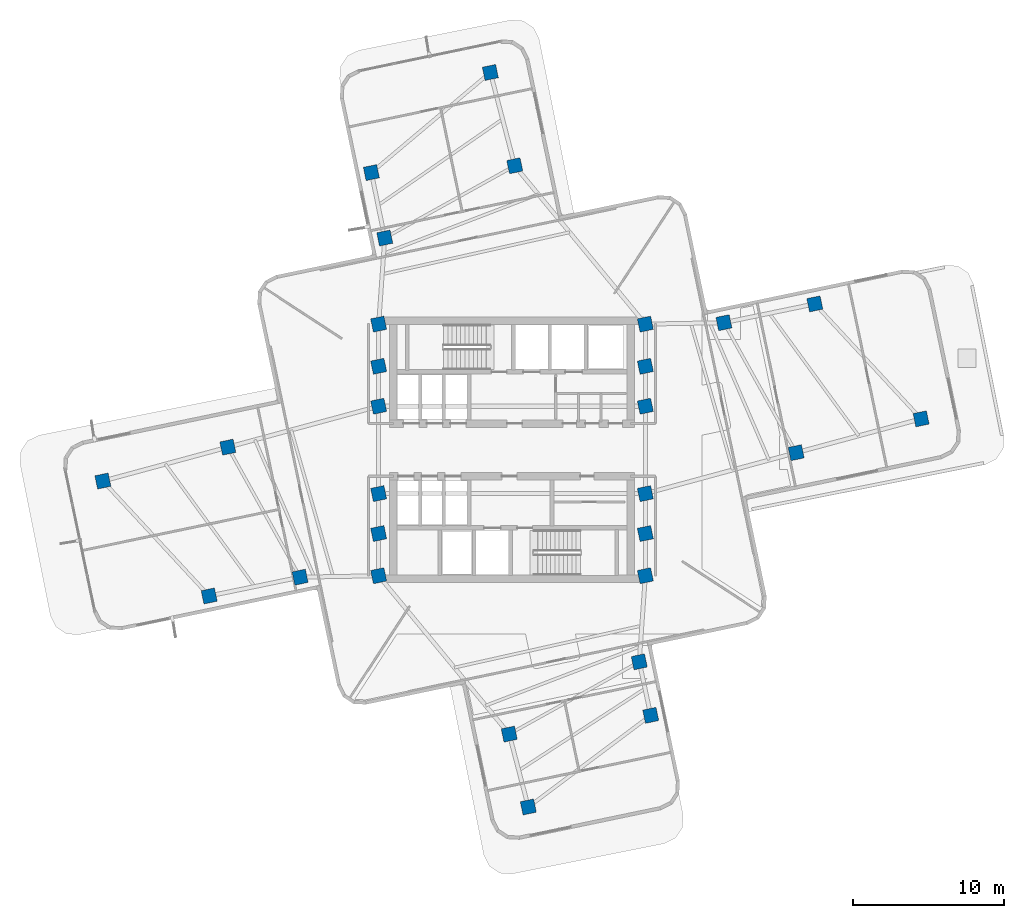
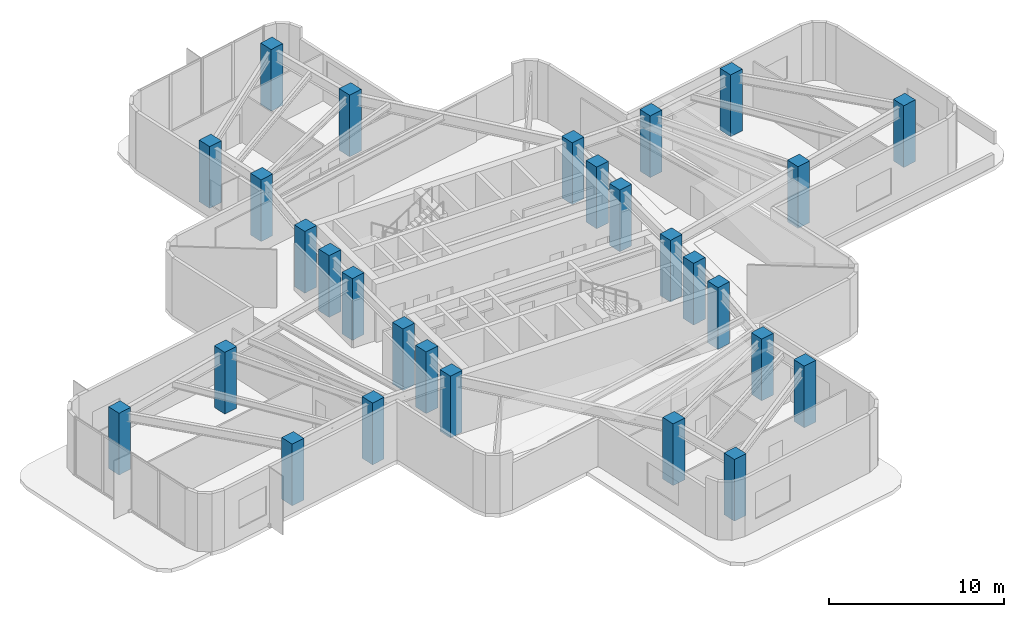
# One storey, part 1 of 12: 28 columns.
"""IFC4 building model written with IfcOpenShell, lengths in metres."""

from ifc_helpers import new_model, si_unit, direction, frame, origin, origin_2d, place, context, subcontext, project, spatial, rectangle, extrude, material, material_profile, profile_set, type_object, element, save


model = new_model("IFC4")

# Units and contexts
model_context = context("Model", 3, precision=1e-05, world=origin(), true_north=direction((0.0, 1.0)))
body_context = subcontext(model_context, "Body", "Model", "MODEL_VIEW")
ifc_project = project(units=[si_unit("LENGTHUNIT", "METRE"), si_unit("AREAUNIT", "SQUARE_METRE"), si_unit("VOLUMEUNIT", "CUBIC_METRE"), si_unit("PLANEANGLEUNIT", "RADIAN"), si_unit("MASSUNIT", "GRAM", prefix="KILO")], contexts=[model_context])

# Site, building, storey
site_placement = place(None, origin())
site = spatial("IfcSite", under=ifc_project, at=site_placement, CompositionType="ELEMENT")
building_placement = place(site_placement, origin())
building = spatial("IfcBuilding", under=site, at=building_placement, Name="Solmarez Civic Tower", CompositionType="ELEMENT")
storey_placement = place(building_placement, frame((0.0, 0.0, 111.9599609375)))
storey = spatial("IfcBuildingStorey", under=building, at=storey_placement, Name="L29", CompositionType="ELEMENT", Elevation=111.9599609375)

# Columns
ifc_material = material(Name="Concrete C50/60", Category="concrete")
ifc_material_profile = material_profile(ifc_material, rectangle(XDim=0.89990234375, YDim=0.89990234375, at=origin_2d()), Name="RC900X900")
ifc_profile_set = profile_set([ifc_material_profile], Name="Concrete C50/60")
column_type = type_object("IfcColumnType", Name="COL-RC900", PredefinedType="COLUMN", material=ifc_profile_set)
for number, where, z_axis, x_axis, name in (
    (1, (-8.85009765625, -5.550048828125, 0.0), (0.0, 0.0, 1.0), (0.978867388762, 0.204496051842, 0.0), "L29 Structural Column HC1"),
    (2, (-8.85009765625, -2.89990234375, 0.0), (0.0, 0.0, 1.0), (0.978867388762, 0.204496051842, 0.0), "L29 Structural Column HC2"),
    (3, (-8.85009765625, 2.89990234375, 0.0), (0.0, 0.0, 1.0), (0.978867388762, 0.204496051842, 0.0), "L29 Structural Column HC3"),
    (4, (-8.85009765625, 5.550048828125, 0.0), (0.0, 0.0, 1.0), (0.978867388762, 0.204496051842, 0.0), "L29 Structural Column HC4"),
    (5, (8.85009765625, -5.550048828125, 0.0), (0.0, 0.0, 1.0), (0.978867388762, 0.204496051842, 0.0), "L29 Structural Column HC5"),
    (6, (8.85009765625, -2.89990234375, 0.0), (0.0, 0.0, 1.0), (0.978867388762, 0.204496051842, 0.0), "L29 Structural Column HC6"),
    (7, (8.85009765625, 2.89990234375, 0.0), (0.0, 0.0, 1.0), (0.978867388762, 0.204496051842, 0.0), "L29 Structural Column HC7"),
    (8, (8.85009765625, 5.550048828125, 0.0), (0.0, 0.0, 1.0), (0.978867388762, 0.204496051842, 0.0), "L29 Structural Column HC8"),
    (9, (-8.85009765625, 8.35009765625, 0.0), (0.0, 0.0, 1.0), (0.978867388762, 0.204496051842, 0.0), "L29 Structural Column HC9"),
    (10, (8.85009765625, -8.35009765625, 0.0), (0.0, 0.0, 1.0), (0.978867388762, 0.204496051842, 0.0), "L29 Structural Column HC10"),
    (11, (8.85009765625, 8.35009765625, 0.0), (0.0, 0.0, 1.0), (0.978867388762, 0.204496051842, 0.0), "L29 Structural Column HC11"),
    (12, (-8.85009765625, -8.35009765625, 0.0), (0.0, 0.0, 1.0), (0.978867388762, 0.204496051842, 0.0), "L29 Structural Column HC12"),
    (13, (18.860107421875, -0.18310546875, 0.0), (0.0, 0.0, 1.0), (0.978867388762, 0.204496051842, 0.0), "L29 Structural Column EA11"),
    (14, (14.06396484375, 8.445068359375, 0.0), (0.0, 0.0, 1.0), (0.978867388762, 0.204496051842, 0.0), "L29 Structural Column EA12"),
    (15, (27.153076171875, 2.06396484375, 0.0), (0.0, 0.0, 1.0), (0.978867388762, 0.204496051842, 0.0), "L29 Structural Column EA21"),
    (16, (20.097900390625, 9.69189453125, 0.0), (0.0, 0.0, 1.0), (0.978867388762, 0.204496051842, 0.0), "L29 Structural Column EA22"),
    (17, (0.18310546875, 18.860107421875, 0.0), (0.0, 0.0, 1.0), (0.978867388762, 0.204496051842, 0.0), "L29 Structural Column NA11"),
    (18, (-8.445068359375, 14.06396484375, 0.0), (0.0, 0.0, 1.0), (0.978867388762, 0.204496051842, 0.0), "L29 Structural Column NA12"),
    (19, (-1.43701171875, 25.052001953125, 0.0), (0.0, 0.0, 1.0), (0.978867388762, 0.204496051842, 0.0), "L29 Structural Column NA21"),
    (20, (-9.3330078125, 18.408935546875, 0.0), (0.0, 0.0, 1.0), (0.978867388762, 0.204496051842, 0.0), "L29 Structural Column NA22"),
    (21, (-18.860107421875, 0.18310546875, 0.0), (0.0, 0.0, 1.0), (0.978867388762, 0.204496051842, 0.0), "L29 Structural Column WA11"),
    (22, (-14.06396484375, -8.445068359375, 0.0), (0.0, 0.0, 1.0), (0.978867388762, 0.204496051842, 0.0), "L29 Structural Column WA12"),
    (23, (-27.153076171875, -2.06396484375, 0.0), (0.0, 0.0, 1.0), (0.978867388762, 0.204496051842, 0.0), "L29 Structural Column WA21"),
    (24, (-20.097900390625, -9.69189453125, 0.0), (0.0, 0.0, 1.0), (0.978867388762, 0.204496051842, 0.0), "L29 Structural Column WA22"),
    (25, (-0.18310546875, -18.860107421875, 0.0), (0.0, 0.0, 1.0), (0.978867388762, 0.204496051842, 0.0), "L29 Structural Column SA11"),
    (26, (8.445068359375, -14.06396484375, 0.0), (0.0, 0.0, 1.0), (0.978867388762, 0.204496051842, 0.0), "L29 Structural Column SA12"),
    (27, (1.0830078125, -23.697021484375, 0.0), (0.0, 0.0, 1.0), (0.978867388762, 0.204496051842, 0.0), "L29 Structural Column SA21"),
    (28, (9.2080078125, -17.614990234375, 0.0), (0.0, 0.0, 1.0), (0.978867388762, 0.204496051842, 0.0), "L29 Structural Column SA22"),
):
    element("IfcColumn", number, at=place(storey_placement, frame(where, z_axis=z_axis, x_axis=x_axis)), inside=storey, type_object=column_type, Name=name, PredefinedType="COLUMN", context=body_context, shape_type="SweptSolid", body=[
        extrude(rectangle(XDim=0.89990234375, YDim=0.89990234375, at=origin_2d()), origin(), (0.0, 0.0, 1.0), 4.320068359375),
    ])

save(model, "model.ifc")
